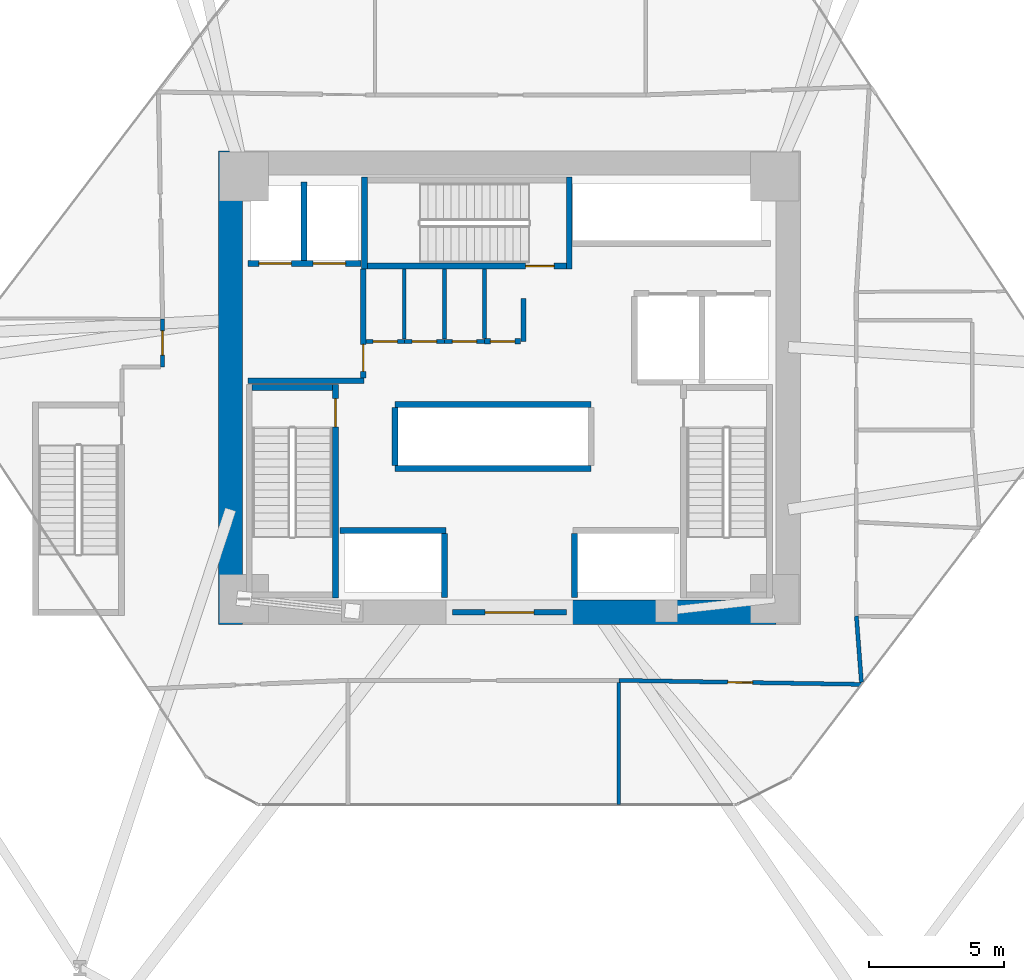
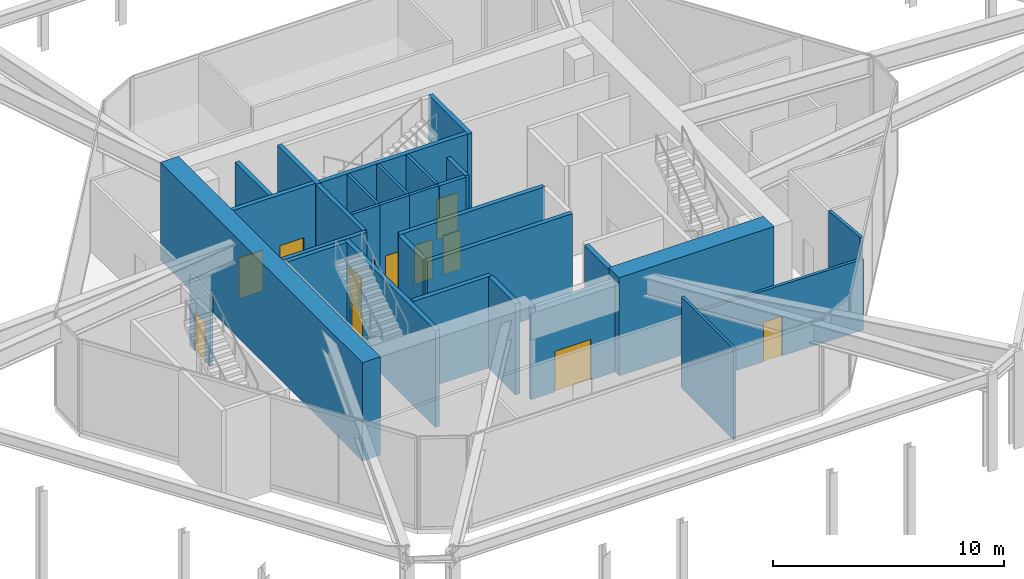
# One storey, part 13 of 16: 30 walls, 12 doors, 12 openings.
"""IFC4 building model written with IfcOpenShell, lengths in metres."""

from ifc_helpers import new_model, si_unit, direction, frame, frame_2d, origin, place, context, subcontext, project, spatial, rectangle, extrude, source, transform, mapped, material, layer, layer_set, type_object, type_shapes, element, fill, save


model = new_model("IFC4")

# Units and contexts
model_context = context("Model", 3, precision=1e-05, world=origin(), true_north=direction((0.0, 1.0)))
body_context = subcontext(model_context, "Body", "Model", "MODEL_VIEW")
ifc_project = project(units=[si_unit("LENGTHUNIT", "METRE"), si_unit("AREAUNIT", "SQUARE_METRE"), si_unit("VOLUMEUNIT", "CUBIC_METRE"), si_unit("PLANEANGLEUNIT", "RADIAN"), si_unit("MASSUNIT", "GRAM", prefix="KILO")], contexts=[model_context])

# Site, building, storey
site_placement = place(None, origin())
site = spatial("IfcSite", under=ifc_project, at=site_placement, CompositionType="ELEMENT")
building_placement = place(site_placement, origin())
building = spatial("IfcBuilding", under=site, at=building_placement, Name="Durnholm Broadcast Tower", CompositionType="ELEMENT")
storey_placement = place(building_placement, frame((0.0, 0.0, 5.199951171875)))
storey = spatial("IfcBuildingStorey", under=building, at=storey_placement, Name="L01", CompositionType="ELEMENT", Elevation=5.199951171875)

# Walls
ifc_material_1 = material(Name="Concrete C70/85", Category="concrete")
ifc_layer_1 = layer(ifc_material_1, 0.89990234375)
ifc_layer_set_1 = layer_set([ifc_layer_1], Name="Concrete C70/85")
wall_type_1 = type_object("IfcWallType", Name="WALL-CW-900", PredefinedType="SHEAR", material=ifc_layer_set_1)
wall_1_placement = place(storey_placement, frame((-10.300048828125, -8.75, 0.0), z_axis=(0.0, 0.0, 1.0), x_axis=(0.0, 1.0, 0.0)))
element("IfcWall", 1, at=wall_1_placement, inside=storey, type_object=wall_type_1, Name="L01 central core shear wall CW-WEST", PredefinedType="SHEAR", context=body_context, shape_type="SweptSolid", body=[
    extrude(rectangle(XDim=17.5, YDim=0.89990234375, at=frame_2d((8.75, 0.0))), origin(), (0.0, 0.0, 1.0), 5.199951171875),
])
wall_2_placement = place(storey_placement, frame((2.10009765625, -8.300048828125, 0.0), z_axis=(0.0, 0.0, 1.0), x_axis=(1.0, 0.0, 0.0)))
element("IfcWall", 2, at=wall_2_placement, inside=storey, type_object=wall_type_1, Name="L01 central core shear wall CW-S2", PredefinedType="SHEAR", context=body_context, shape_type="SweptSolid", body=[
    extrude(rectangle(XDim=7.75, YDim=0.89990234375, at=frame_2d((3.875, 0.0))), origin(), (0.0, 0.0, 1.0), 5.199951171875),
])

# Wall, opening, door
ifc_material_2 = material(Name="Fire-Rated Gypsum Shaftwall", Category="concrete")
ifc_layer_2 = layer(ifc_material_2, 0.199951171875)
ifc_layer_set_2 = layer_set([ifc_layer_2], Name="Fire-Rated Gypsum Shaftwall")
wall_type_2 = type_object("IfcWallType", Name="WALL-LOB-200", PredefinedType="SOLIDWALL", material=ifc_layer_set_2)
wall_3_placement = place(storey_placement, frame((-2.10009765625, -8.300048828125, 0.0), z_axis=(0.0, 0.0, 1.0), x_axis=(1.0, 0.0, 0.0)))
wall_3 = element("IfcWall", 3, at=wall_3_placement, inside=storey, type_object=wall_type_2, Name="L01 south core lobby fire screen", PredefinedType="SOLIDWALL", context=body_context, shape_type="SweptSolid", body=[
    extrude(rectangle(XDim=4.2001953125, YDim=0.199951171875, at=frame_2d((2.10009765625, 0.0))), origin(), (0.0, 0.0, 1.0), 4.8349609375),
])
opening_1_placement = place(wall_3_placement, frame((1.199951171875, 0.0, 0.0)))
opening_1 = element("IfcOpeningElement", 4, at=opening_1_placement, cuts=wall_3, Name="Opening DP-60", PredefinedType="OPENING", context=body_context, shape_type="SweptSolid", body=[
    extrude(rectangle(XDim=1.800048828125, YDim=2.14990234375, at=frame_2d((0.89990234375, 1.074951171875))), frame((0.0, 0.10986328125, 0.0), z_axis=(0.0, -1.0, 0.0), x_axis=(1.0, 0.0, 0.0)), (0.0, 0.0, 1.0), 0.219970703125),
])
ifc_material_3 = material(Name="Fire-Rated Double Corridor Door", Category="steel")
ifc_layer_3 = layer(ifc_material_3, 0.050048828125)
ifc_layer_set_3 = layer_set([ifc_layer_3], Name="Fire-Rated Double Corridor Door")
door_type_1 = type_object("IfcDoorType", Name="DOOR-PAIR-FD60", OperationType="DOUBLE_DOOR_SINGLE_SWING", PredefinedType="DOOR", material=ifc_layer_set_3)
shared_shape_1 = source(origin(), body_context, "Body", "SweptSolid", [
    extrude(rectangle(XDim=1.800048828125, YDim=2.14990234375, at=frame_2d((0.89990234375, 1.074951171875))), frame((0.0, 0.02490234375, 0.0), z_axis=(0.0, -1.0, 0.0), x_axis=(1.0, 0.0, 0.0)), (0.0, 0.0, 1.0), 0.050048828125),
])
type_shapes(door_type_1, [shared_shape_1])
door_1_placement = place(opening_1_placement, origin())
door_1 = element("IfcDoor", 5, at=door_1_placement, inside=storey, type_object=door_type_1, Name="L01 south core lobby double fire door", OperationType="DOUBLE_DOOR_SINGLE_SWING", OverallHeight=2.14990234375, OverallWidth=1.800048828125, PredefinedType="DOOR", context=body_context, shape_type="MappedRepresentation", body=[
    mapped(shared_shape_1, transform((0.0, 0.0, 0.0), x_axis=(1.0, 0.0, 0.0), y_axis=(0.0, 1.0, 0.0), z_axis=(0.0, 0.0, 1.0), scale=1.0)),
])
fill(opening_1, door_1)

# Wall
wall_4_placement = place(storey_placement, frame((-9.64990234375, 0.25, 0.0), z_axis=(0.0, 0.0, 1.0), x_axis=(1.0, 0.0, 0.0)))
element("IfcWall", 6, at=wall_4_placement, inside=storey, type_object=wall_type_2, Name="L01 Fire Service Access Elevator lobby south wall", PredefinedType="SOLIDWALL", context=body_context, shape_type="SweptSolid", body=[
    extrude(rectangle(XDim=4.27001953125, YDim=0.199951171875, at=frame_2d((2.135009765625, 0.0))), origin(), (0.0, 0.0, 1.0), 4.8349609375),
])

# Wall, opening, door
wall_5_placement = place(storey_placement, frame((-5.39990234375, 0.35400390625, 0.0), z_axis=(0.0, 0.0, 1.0), x_axis=(0.0, 1.0, 0.0)))
wall_5 = element("IfcWall", 7, at=wall_5_placement, inside=storey, type_object=wall_type_2, Name="L01 Fire Service Access Elevator lobby east fire wall", PredefinedType="SOLIDWALL", context=body_context, shape_type="SweptSolid", body=[
    extrude(rectangle(XDim=4.02587890625, YDim=0.199951171875, at=frame_2d((2.012939453125, 0.0))), origin(), (0.0, 0.0, 1.0), 4.8349609375),
])
opening_2_placement = place(wall_5_placement, frame((0.24609375, 0.0, 0.0)))
opening_2 = element("IfcOpeningElement", 8, at=opening_2_placement, cuts=wall_5, Name="Opening DL-60R", PredefinedType="OPENING", context=body_context, shape_type="SweptSolid", body=[
    extrude(rectangle(XDim=1.0, YDim=2.14990234375, at=frame_2d((0.5, 1.074951171875))), frame((0.0, 0.10986328125, 0.0), z_axis=(0.0, -1.0, 0.0), x_axis=(1.0, 0.0, 0.0)), (0.0, 0.0, 1.0), 0.219970703125),
])
ifc_material_4 = material(Name="Fire-Rated Timber/Steel Door", Category="steel")
ifc_layer_4 = layer(ifc_material_4, 0.050048828125)
ifc_layer_set_4 = layer_set([ifc_layer_4], Name="Fire-Rated Timber/Steel Door")
door_type_2 = type_object("IfcDoorType", Name="DOOR-LOB-FD60-R", OperationType="NOTDEFINED", PredefinedType="DOOR", material=ifc_layer_set_4)
shared_shape_2 = source(origin(), body_context, "Body", "SweptSolid", [
    extrude(rectangle(XDim=1.0, YDim=2.14990234375, at=frame_2d((0.5, 1.074951171875))), frame((0.0, 0.02490234375, 0.0), z_axis=(0.0, -1.0, 0.0), x_axis=(1.0, 0.0, 0.0)), (0.0, 0.0, 1.0), 0.050048828125),
])
type_shapes(door_type_2, [shared_shape_2])
door_2_placement = place(opening_2_placement, origin())
door_2 = element("IfcDoor", 9, at=door_2_placement, inside=storey, type_object=door_type_2, Name="L01 Fire Service Access Elevator lobby smoke door", OperationType="SINGLE_SWING_RIGHT", OverallHeight=2.14990234375, OverallWidth=1.0, PredefinedType="DOOR", context=body_context, shape_type="MappedRepresentation", body=[
    mapped(shared_shape_2, transform((0.0, 0.0, 0.0), x_axis=(1.0, 0.0, 0.0), y_axis=(0.0, 1.0, 0.0), z_axis=(0.0, 0.0, 1.0), scale=1.0)),
])
fill(opening_2, door_2)

# Wall
wall_6_placement = place(storey_placement, frame((0.52001953125, 3.300048828125, 0.0), z_axis=(0.0, 0.0, 1.0), x_axis=(0.0, -1.0, 0.0)))
element("IfcWall", 10, at=wall_6_placement, inside=storey, type_object=wall_type_2, Name="L01 Core Signal Sync Room corridor partition", PredefinedType="SOLIDWALL", context=body_context, shape_type="SweptSolid", body=[
    extrude(rectangle(XDim=1.590087890625, YDim=0.199951171875, at=frame_2d((0.794921875, 0.0))), origin(), (0.0, 0.0, 1.0), 4.8349609375),
])

# Wall, opening, door
wall_7_placement = place(storey_placement, frame((0.416015625, 1.7099609375, 0.0), z_axis=(0.0, 0.0, 1.0), x_axis=(-1.0, 0.0, 0.0)))
wall_7 = element("IfcWall", 11, at=wall_7_placement, inside=storey, type_object=wall_type_2, Name="L01 Core Signal Sync Room corridor partition", PredefinedType="SOLIDWALL", context=body_context, shape_type="SweptSolid", body=[
    extrude(rectangle(XDim=1.3359375, YDim=0.199951171875, at=frame_2d((0.66796875, 0.0))), origin(), (0.0, 0.0, 1.0), 4.8349609375),
])
opening_3_placement = place(wall_7_placement, frame((0.218017578125, 0.0, 0.0)))
opening_3 = element("IfcOpeningElement", 12, at=opening_3_placement, cuts=wall_7, Name="Opening DC-60L", PredefinedType="OPENING", context=body_context, shape_type="SweptSolid", body=[
    extrude(rectangle(XDim=0.89990234375, YDim=2.050048828125, at=frame_2d((0.449951171875, 1.02490234375))), frame((0.0, 0.10986328125, 0.0), z_axis=(0.0, -1.0, 0.0), x_axis=(1.0, 0.0, 0.0)), (0.0, 0.0, 1.0), 0.219970703125),
])
ifc_material_5 = material(Name="Fire-Rated Core Service Door", Category="steel")
ifc_layer_5 = layer(ifc_material_5, 0.050048828125)
ifc_layer_set_5 = layer_set([ifc_layer_5], Name="Fire-Rated Core Service Door")
door_type_3 = type_object("IfcDoorType", Name="DOOR-CORE-FD60-L", OperationType="NOTDEFINED", PredefinedType="DOOR", material=ifc_layer_set_5)
shared_shape_3 = source(origin(), body_context, "Body", "SweptSolid", [
    extrude(rectangle(XDim=0.89990234375, YDim=2.050048828125, at=frame_2d((0.449951171875, 1.02490234375))), frame((0.0, 0.02490234375, 0.0), z_axis=(0.0, -1.0, 0.0), x_axis=(1.0, 0.0, 0.0)), (0.0, 0.0, 1.0), 0.050048828125),
])
type_shapes(door_type_3, [shared_shape_3])
door_3_placement = place(opening_3_placement, origin())
door_3 = element("IfcDoor", 13, at=door_3_placement, inside=storey, type_object=door_type_3, Name="L01 Core Signal Sync Room entrance door", OperationType="SINGLE_SWING_LEFT", OverallHeight=2.050048828125, OverallWidth=0.89990234375, PredefinedType="DOOR", context=body_context, shape_type="MappedRepresentation", body=[
    mapped(shared_shape_3, transform((0.0, 0.0, 0.0), x_axis=(1.0, 0.0, 0.0), y_axis=(0.0, 1.0, 0.0), z_axis=(0.0, 0.0, 1.0), scale=1.0)),
])
fill(opening_3, door_3)

# Walls
ifc_material_6 = material(Name="Gypsum Metal Stud Partition", Category="concrete")
ifc_layer_6 = layer(ifc_material_6, 0.135009765625)
ifc_layer_set_6 = layer_set([ifc_layer_6], Name="Gypsum Metal Stud Partition")
wall_type_3 = type_object("IfcWallType", Name="WALL-PART-135", PredefinedType="PARTITIONING", material=ifc_layer_set_6)
for number, where, z_axis, x_axis, name in (
    (14, (-3.8798828125, 4.375, 0.0), (0.0, 0.0, 1.0), (0.0, -1.0, 0.0), "L01 room dividing partition 1.2"),
    (15, (-2.39990234375, 4.375, 0.0), (0.0, 0.0, 1.0), (0.0, -1.0, 0.0), "L01 room dividing partition 2.3"),
):
    element("IfcWall", number, at=place(storey_placement, frame(where, z_axis=z_axis, x_axis=x_axis)), inside=storey, type_object=wall_type_3, Name=name, PredefinedType="PARTITIONING", context=body_context, shape_type="SweptSolid", body=[
        extrude(rectangle(XDim=2.5859375, YDim=0.135009765625, at=frame_2d((1.29296875, 0.0))), origin(), (0.0, 0.0, 1.0), 4.8349609375),
    ])
wall_8_placement = place(storey_placement, frame((-0.919921875, 4.375, 0.0), z_axis=(0.0, 0.0, 1.0), x_axis=(0.0, -1.0, 0.0)))
element("IfcWall", 16, at=wall_8_placement, inside=storey, type_object=wall_type_3, Name="L01 room dividing partition 3.4", PredefinedType="PARTITIONING", context=body_context, shape_type="SweptSolid", body=[
    extrude(rectangle(XDim=2.56103515625, YDim=0.135009765625, at=frame_2d((1.280517578125, 0.0))), origin(), (0.0, 0.0, 1.0), 4.8349609375),
])
wall_9_placement = place(storey_placement, frame((4.0400390625, -10.890380859375, 0.0), z_axis=(0.0, 0.0, 1.0), x_axis=(0.0, -1.0, 0.0)))
element("IfcWall", 17, at=wall_9_placement, inside=storey, type_object=wall_type_3, Name="L01 room dividing partition 12.13", PredefinedType="PARTITIONING", context=body_context, shape_type="SweptSolid", body=[
    extrude(rectangle(XDim=4.509521484375, YDim=0.135009765625, at=frame_2d((2.2548828125, 0.0))), origin(), (0.0, 0.0, 1.0), 4.8349609375),
])

# Wall, opening, door
ifc_material_7 = material(Name="Acoustic Gypsum Stud Partition", Category="concrete")
ifc_layer_7 = layer(ifc_material_7, 0.14990234375)
ifc_layer_set_7 = layer_set([ifc_layer_7], Name="Acoustic Gypsum Stud Partition")
wall_type_4 = type_object("IfcWallType", Name="WALL-PART-150", PredefinedType="PARTITIONING", material=ifc_layer_set_7)
wall_10_placement = place(storey_placement, frame((-3.8798828125, 1.7099609375, 0.0), z_axis=(0.0, 0.0, 1.0), x_axis=(-1.0, 0.0, 0.0)))
wall_10 = element("IfcWall", 18, at=wall_10_placement, inside=storey, type_object=wall_type_4, Name="L01 Core First Aid Store corridor partition", PredefinedType="PARTITIONING", context=body_context, shape_type="SweptSolid", body=[
    extrude(rectangle(XDim=1.416015625, YDim=0.14990234375, at=frame_2d((0.7080078125, 0.0))), origin(), (0.0, 0.0, 1.0), 4.8349609375),
])
opening_4_placement = place(wall_10_placement, frame((0.258056640625, 0.0, 0.0)))
opening_4 = element("IfcOpeningElement", 19, at=opening_4_placement, cuts=wall_10, Name="Opening DC-60R", PredefinedType="OPENING", context=body_context, shape_type="SweptSolid", body=[
    extrude(rectangle(XDim=0.89990234375, YDim=2.050048828125, at=frame_2d((0.449951171875, 1.02490234375))), frame((0.0, 0.0849609375, 0.0), z_axis=(0.0, -1.0, 0.0), x_axis=(1.0, 0.0, 0.0)), (0.0, 0.0, 1.0), 0.169921875),
])
ifc_layer_8 = layer(ifc_material_5, 0.050048828125)
ifc_layer_set_8 = layer_set([ifc_layer_8], Name="Fire-Rated Core Service Door")
door_type_4 = type_object("IfcDoorType", Name="DOOR-CORE-FD60-R", OperationType="NOTDEFINED", PredefinedType="DOOR", material=ifc_layer_set_8)
shared_shape_4 = source(origin(), body_context, "Body", "SweptSolid", [
    extrude(rectangle(XDim=0.89990234375, YDim=2.050048828125, at=frame_2d((0.449951171875, 1.02490234375))), frame((0.0, 0.02490234375, 0.0), z_axis=(0.0, -1.0, 0.0), x_axis=(1.0, 0.0, 0.0)), (0.0, 0.0, 1.0), 0.050048828125),
])
type_shapes(door_type_4, [shared_shape_4])
door_4_placement = place(opening_4_placement, origin())
door_4 = element("IfcDoor", 20, at=door_4_placement, inside=storey, type_object=door_type_4, Name="L01 Core First Aid Store entrance door", OperationType="SINGLE_SWING_RIGHT", OverallHeight=2.050048828125, OverallWidth=0.89990234375, PredefinedType="DOOR", context=body_context, shape_type="MappedRepresentation", body=[
    mapped(shared_shape_4, transform((0.0, 0.0, 0.0), x_axis=(1.0, 0.0, 0.0), y_axis=(0.0, 1.0, 0.0), z_axis=(0.0, 0.0, 1.0), scale=1.0)),
])
fill(opening_4, door_4)

wall_11_placement = place(storey_placement, frame((-2.39990234375, 1.7099609375, 0.0), z_axis=(0.0, 0.0, 1.0), x_axis=(-1.0, 0.0, 0.0)))
wall_11 = element("IfcWall", 21, at=wall_11_placement, inside=storey, type_object=wall_type_4, Name="L01 Core Linen Supply Closet corridor partition", PredefinedType="PARTITIONING", context=body_context, shape_type="SweptSolid", body=[
    extrude(rectangle(XDim=1.47998046875, YDim=0.14990234375, at=frame_2d((0.739990234375, 0.0))), origin(), (0.0, 0.0, 1.0), 4.8349609375),
])
opening_5_placement = place(wall_11_placement, frame((0.2900390625, 0.0, 0.0)))
opening_5 = element("IfcOpeningElement", 22, at=opening_5_placement, cuts=wall_11, Name="Opening DC-60L", PredefinedType="OPENING", context=body_context, shape_type="SweptSolid", body=[
    extrude(rectangle(XDim=0.89990234375, YDim=2.050048828125, at=frame_2d((0.449951171875, 1.02490234375))), frame((0.0, 0.0849609375, 0.0), z_axis=(0.0, -1.0, 0.0), x_axis=(1.0, 0.0, 0.0)), (0.0, 0.0, 1.0), 0.169921875),
])
door_5_placement = place(opening_5_placement, origin())
door_5 = element("IfcDoor", 23, at=door_5_placement, inside=storey, type_object=door_type_3, Name="L01 Core Linen Supply Closet entrance door", OperationType="SINGLE_SWING_LEFT", OverallHeight=2.050048828125, OverallWidth=0.89990234375, PredefinedType="DOOR", context=body_context, shape_type="MappedRepresentation", body=[
    mapped(shared_shape_3, transform((0.0, 0.0, 0.0), x_axis=(1.0, 0.0, 0.0), y_axis=(0.0, 1.0, 0.0), z_axis=(0.0, 0.0, 1.0), scale=1.0)),
])
fill(opening_5, door_5)

wall_12_placement = place(storey_placement, frame((-0.919921875, 1.7099609375, 0.0), z_axis=(0.0, 0.0, 1.0), x_axis=(-1.0, 0.0, 0.0)))
wall_12 = element("IfcWall", 24, at=wall_12_placement, inside=storey, type_object=wall_type_4, Name="L01 Core Safety Gear Store corridor partition", PredefinedType="PARTITIONING", context=body_context, shape_type="SweptSolid", body=[
    extrude(rectangle(XDim=1.47998046875, YDim=0.14990234375, at=frame_2d((0.739990234375, 0.0))), origin(), (0.0, 0.0, 1.0), 4.8349609375),
])
opening_6_placement = place(wall_12_placement, frame((0.2900390625, 0.0, 0.0)))
opening_6 = element("IfcOpeningElement", 25, at=opening_6_placement, cuts=wall_12, Name="Opening DC-60R", PredefinedType="OPENING", context=body_context, shape_type="SweptSolid", body=[
    extrude(rectangle(XDim=0.89990234375, YDim=2.050048828125, at=frame_2d((0.449951171875, 1.02490234375))), frame((0.0, 0.0849609375, 0.0), z_axis=(0.0, -1.0, 0.0), x_axis=(1.0, 0.0, 0.0)), (0.0, 0.0, 1.0), 0.169921875),
])
door_6_placement = place(opening_6_placement, origin())
door_6 = element("IfcDoor", 26, at=door_6_placement, inside=storey, type_object=door_type_4, Name="L01 Core Safety Gear Store entrance door", OperationType="SINGLE_SWING_RIGHT", OverallHeight=2.050048828125, OverallWidth=0.89990234375, PredefinedType="DOOR", context=body_context, shape_type="MappedRepresentation", body=[
    mapped(shared_shape_4, transform((0.0, 0.0, 0.0), x_axis=(1.0, 0.0, 0.0), y_axis=(0.0, 1.0, 0.0), z_axis=(0.0, 0.0, 1.0), scale=1.0)),
])
fill(opening_6, door_6)

wall_13_placement = place(storey_placement, frame((4.0400390625, -10.811279296875, 0.0), z_axis=(0.0, 0.0, 1.0), x_axis=(0.999863885947, -0.016498775082, 0.0)))
wall_13 = element("IfcWall", 27, at=wall_13_placement, inside=storey, type_object=wall_type_4, Name="L01 Hospitality Kitchen corridor partition", PredefinedType="PARTITIONING", context=body_context, shape_type="SweptSolid", body=[
    extrude(rectangle(XDim=8.96728515625, YDim=0.14990234375, at=frame_2d((4.483642578125, 0.0))), origin(), (0.0, 0.0, 1.0), 3.757080078125),
])
opening_7_placement = place(wall_13_placement, frame((4.023681640625, 0.0, 0.0)))
opening_7 = element("IfcOpeningElement", 28, at=opening_7_placement, cuts=wall_13, Name="Opening DR-92R", PredefinedType="OPENING", context=body_context, shape_type="SweptSolid", body=[
    extrude(rectangle(XDim=0.919921875, YDim=2.10009765625, at=frame_2d((0.4599609375, 1.050048828125))), frame((0.0, 0.0849609375, 0.0), z_axis=(0.0, -1.0, 0.0), x_axis=(1.0, 0.0, 0.0)), (0.0, 0.0, 1.0), 0.169921875),
])
ifc_material_8 = material(Name="Oak Veneer Office Door", Category="wood")
ifc_layer_9 = layer(ifc_material_8, 0.050048828125)
ifc_layer_set_9 = layer_set([ifc_layer_9], Name="Oak Veneer Office Door")
door_type_5 = type_object("IfcDoorType", Name="DOOR-RM-920R", OperationType="NOTDEFINED", PredefinedType="DOOR", material=ifc_layer_set_9)
shared_shape_5 = source(origin(), body_context, "Body", "SweptSolid", [
    extrude(rectangle(XDim=0.919921875, YDim=2.10009765625, at=frame_2d((0.4599609375, 1.050048828125))), frame((0.0, 0.02490234375, 0.0), z_axis=(0.0, -1.0, 0.0), x_axis=(1.0, 0.0, 0.0)), (0.0, 0.0, 1.0), 0.050048828125),
])
type_shapes(door_type_5, [shared_shape_5])
door_7_placement = place(opening_7_placement, origin())
door_7 = element("IfcDoor", 29, at=door_7_placement, inside=storey, type_object=door_type_5, Name="L01 Hospitality Kitchen entrance door", OperationType="SINGLE_SWING_RIGHT", OverallHeight=2.10009765625, OverallWidth=0.919921875, PredefinedType="DOOR", context=body_context, shape_type="MappedRepresentation", body=[
    mapped(shared_shape_5, transform((0.0, 0.0, 0.0), x_axis=(1.0, 0.0, 0.0), y_axis=(0.0, 1.0, 0.0), z_axis=(0.0, 0.0, 1.0), scale=1.0)),
])
fill(opening_7, door_7)

# Wall
wall_14_placement = place(storey_placement, frame((13.0, -10.880126953125, 0.0), z_axis=(0.0, 0.0, 1.0), x_axis=(-0.075223978352, 0.99716666264, 0.0)))
element("IfcWall", 30, at=wall_14_placement, inside=storey, type_object=wall_type_4, Name="L01 Hospitality Kitchen corridor partition", PredefinedType="PARTITIONING", context=body_context, shape_type="SweptSolid", body=[
    extrude(rectangle(XDim=2.447021484375, YDim=0.14990234375, at=frame_2d((1.2236328125, 0.0))), origin(), (0.0, 0.0, 1.0), 4.8349609375),
])

# Wall, opening, door
wall_15_placement = place(storey_placement, frame((-12.81005859375, 2.5400390625, 0.0), z_axis=(0.0, 0.0, 1.0), x_axis=(0.0, -1.0, 0.0)))
wall_15 = element("IfcWall", 31, at=wall_15_placement, inside=storey, type_object=wall_type_4, Name="L01 Mezzanine Broadcast Hall corridor partition", PredefinedType="PARTITIONING", context=body_context, shape_type="SweptSolid", body=[
    extrude(rectangle(XDim=1.780029296875, YDim=0.14990234375, at=frame_2d((0.89013671875, 0.0))), origin(), (0.0, 0.0, 1.0), 3.757080078125),
])
opening_8_placement = place(wall_15_placement, frame((0.43994140625, 0.0, 0.0)))
opening_8 = element("IfcOpeningElement", 32, at=opening_8_placement, cuts=wall_15, Name="Opening DW-90L", PredefinedType="OPENING", context=body_context, shape_type="SweptSolid", body=[
    extrude(rectangle(XDim=0.89990234375, YDim=2.050048828125, at=frame_2d((0.449951171875, 1.02490234375))), frame((0.0, 0.0849609375, 0.0), z_axis=(0.0, -1.0, 0.0), x_axis=(1.0, 0.0, 0.0)), (0.0, 0.0, 1.0), 0.169921875),
])
ifc_material_9 = material(Name="Laminate Restroom Door", Category="steel")
ifc_layer_10 = layer(ifc_material_9, 0.050048828125)
ifc_layer_set_10 = layer_set([ifc_layer_10], Name="Laminate Restroom Door")
door_type_6 = type_object("IfcDoorType", Name="DOOR-WC-900L", OperationType="NOTDEFINED", PredefinedType="DOOR", material=ifc_layer_set_10)
shared_shape_6 = source(origin(), body_context, "Body", "SweptSolid", [
    extrude(rectangle(XDim=0.89990234375, YDim=2.050048828125, at=frame_2d((0.449951171875, 1.02490234375))), frame((0.0, 0.02490234375, 0.0), z_axis=(0.0, -1.0, 0.0), x_axis=(1.0, 0.0, 0.0)), (0.0, 0.0, 1.0), 0.050048828125),
])
type_shapes(door_type_6, [shared_shape_6])
door_8_placement = place(opening_8_placement, origin())
door_8 = element("IfcDoor", 33, at=door_8_placement, inside=storey, type_object=door_type_6, Name="L01 Mezzanine Broadcast Hall entrance door", OperationType="SINGLE_SWING_LEFT", OverallHeight=2.050048828125, OverallWidth=0.89990234375, PredefinedType="DOOR", context=body_context, shape_type="MappedRepresentation", body=[
    mapped(shared_shape_6, transform((0.0, 0.0, 0.0), x_axis=(1.0, 0.0, 0.0), y_axis=(0.0, 1.0, 0.0), z_axis=(0.0, 0.0, 1.0), scale=1.0)),
])
fill(opening_8, door_8)

# Wall, openings, doors
ifc_material_10 = material(Name="Concrete Blockwork C30/37", Category="masonry")
ifc_layer_11 = layer(ifc_material_10, 0.219970703125)
ifc_layer_set_11 = layer_set([ifc_layer_11], Name="Concrete Blockwork C30/37")
wall_type_5 = type_object("IfcWallType", Name="WALL-SHAFT-220", PredefinedType="SOLIDWALL", material=ifc_layer_set_11)
wall_16_placement = place(storey_placement, frame((-9.64990234375, 4.580078125, 0.0), z_axis=(0.0, 0.0, 1.0), x_axis=(1.0, 0.0, 0.0)))
wall_16 = element("IfcWall", 34, at=wall_16_placement, inside=storey, type_object=wall_type_5, Name="L01 FSAE hoistway front fire wall", PredefinedType="SOLIDWALL", context=body_context, shape_type="SweptSolid", body=[
    extrude(rectangle(XDim=4.1748046875, YDim=0.219970703125, at=frame_2d((2.08740234375, 0.0))), origin(), (0.0, 0.0, 1.0), 4.8349609375),
])
opening_9_placement = place(wall_16_placement, frame((0.39990234375, 0.0, 0.0)))
opening_9 = element("IfcOpeningElement", 35, at=opening_9_placement, cuts=wall_16, Name="Opening LD-FSAE-2", PredefinedType="OPENING", context=body_context, shape_type="SweptSolid", body=[
    extrude(rectangle(XDim=1.199951171875, YDim=2.14990234375, at=frame_2d((0.60009765625, 1.074951171875))), frame((0.0, 0.1201171875, 0.0), z_axis=(0.0, -1.0, 0.0), x_axis=(1.0, 0.0, 0.0)), (0.0, 0.0, 1.0), 0.239990234375),
])
opening_10_placement = place(wall_16_placement, frame((2.39990234375, 0.0, 0.0)))
opening_10 = element("IfcOpeningElement", 36, at=opening_10_placement, cuts=wall_16, Name="Opening LD-FSAE-1", PredefinedType="OPENING", context=body_context, shape_type="SweptSolid", body=[
    extrude(rectangle(XDim=1.199951171875, YDim=2.14990234375, at=frame_2d((0.60009765625, 1.074951171875))), frame((0.0, 0.1201171875, 0.0), z_axis=(0.0, -1.0, 0.0), x_axis=(1.0, 0.0, 0.0)), (0.0, 0.0, 1.0), 0.239990234375),
])
ifc_material_11 = material(Name="Fire Service Access Sliding Landing Door", Category="steel")
ifc_layer_12 = layer(ifc_material_11, 0.050048828125)
ifc_layer_set_12 = layer_set([ifc_layer_12], Name="Fire Service Access Sliding Landing Door")
door_type_7 = type_object("IfcDoorType", Name="DOOR-LIFT-FSAE", OperationType="DOUBLE_DOOR_SLIDING", PredefinedType="DOOR", material=ifc_layer_set_12)
shared_shape_7 = source(origin(), body_context, "Body", "SweptSolid", [
    extrude(rectangle(XDim=1.199951171875, YDim=2.14990234375, at=frame_2d((0.60009765625, 1.074951171875))), frame((0.0, 0.02490234375, 0.0), z_axis=(0.0, -1.0, 0.0), x_axis=(1.0, 0.0, 0.0)), (0.0, 0.0, 1.0), 0.050048828125),
])
type_shapes(door_type_7, [shared_shape_7])
door_9_placement = place(opening_9_placement, origin())
door_9 = element("IfcDoor", 37, at=door_9_placement, inside=storey, type_object=door_type_7, Name="L01 Fire Service Access Elevator FSAE-2 sliding landing door", OperationType="DOUBLE_DOOR_SLIDING", OverallHeight=2.14990234375, OverallWidth=1.199951171875, PredefinedType="DOOR", context=body_context, shape_type="MappedRepresentation", body=[
    mapped(shared_shape_7, transform((0.0, 0.0, 0.0), x_axis=(1.0, 0.0, 0.0), y_axis=(0.0, 1.0, 0.0), z_axis=(0.0, 0.0, 1.0), scale=1.0)),
])
fill(opening_9, door_9)
door_10_placement = place(opening_10_placement, origin())
door_10 = element("IfcDoor", 38, at=door_10_placement, inside=storey, type_object=door_type_7, Name="L01 Fire Service Access Elevator FSAE-1 sliding landing door", OperationType="DOUBLE_DOOR_SLIDING", OverallHeight=2.14990234375, OverallWidth=1.199951171875, PredefinedType="DOOR", context=body_context, shape_type="MappedRepresentation", body=[
    mapped(shared_shape_7, transform((0.0, 0.0, 0.0), x_axis=(1.0, 0.0, 0.0), y_axis=(0.0, 1.0, 0.0), z_axis=(0.0, 0.0, 1.0), scale=1.0)),
])
fill(opening_10, door_10)

# Walls
wall_17_placement = place(storey_placement, frame((-7.580078125, 4.694091796875, 0.0), z_axis=(0.0, 0.0, 1.0), x_axis=(0.0, 1.0, 0.0)))
element("IfcWall", 39, at=wall_17_placement, inside=storey, type_object=wall_type_5, Name="L01 FSAE shaft divider wall", PredefinedType="SOLIDWALL", context=body_context, shape_type="SweptSolid", body=[
    extrude(rectangle(XDim=2.906005859375, YDim=0.219970703125, at=frame_2d((1.453125, 0.0))), origin(), (0.0, 0.0, 1.0), 4.8349609375),
])
wall_18_placement = place(storey_placement, frame((-6.25, -5.280029296875, 0.0), z_axis=(0.0, 0.0, 1.0), x_axis=(1.0, 0.0, 0.0)))
element("IfcWall", 40, at=wall_18_placement, inside=storey, type_object=wall_type_5, Name="L01 low-rise bank P1 west front wall", PredefinedType="SOLIDWALL", context=body_context, shape_type="SweptSolid", body=[
    extrude(rectangle(XDim=3.89990234375, YDim=0.219970703125, at=frame_2d((1.949951171875, 0.0))), origin(), (0.0, 0.0, 1.0), 4.8349609375),
])
for number, where, z_axis, x_axis, name in (
    (41, (-2.39990234375, -7.75, 0.0), (0.0, 0.0, 1.0), (0.0, 1.0, 0.0), "L01 low-rise bank P1 west mouth wall"),
    (42, (2.39990234375, -7.75, 0.0), (0.0, 0.0, 1.0), (0.0, 1.0, 0.0), "L01 low-rise bank P1 east mouth wall"),
):
    element("IfcWall", number, at=place(storey_placement, frame(where, z_axis=z_axis, x_axis=x_axis)), inside=storey, type_object=wall_type_5, Name=name, PredefinedType="SOLIDWALL", context=body_context, shape_type="SweptSolid", body=[
        extrude(rectangle(XDim=2.35595703125, YDim=0.219970703125, at=frame_2d((1.177978515625, 0.0))), origin(), (0.0, 0.0, 1.0), 4.8349609375),
    ])
for number, where, z_axis, x_axis, name in (
    (43, (-4.219970703125, -2.97998046875, 0.0), (0.0, 0.0, 1.0), (1.0, 0.0, 0.0), "L01 mid-rise bank P2 south front wall"),
    (44, (-4.219970703125, -0.6201171875, 0.0), (0.0, 0.0, 1.0), (1.0, 0.0, 0.0), "L01 mid-rise bank P2 north shaft wall"),
):
    element("IfcWall", number, at=place(storey_placement, frame(where, z_axis=z_axis, x_axis=x_axis)), inside=storey, type_object=wall_type_5, Name=name, PredefinedType="SOLIDWALL", context=body_context, shape_type="SweptSolid", body=[
        extrude(rectangle(XDim=7.239990234375, YDim=0.219970703125, at=frame_2d((3.6201171875, 0.0))), origin(), (0.0, 0.0, 1.0), 4.8349609375),
    ])
wall_19_placement = place(storey_placement, frame((-4.219970703125, -2.865966796875, 0.0), z_axis=(0.0, 0.0, 1.0), x_axis=(0.0, 1.0, 0.0)))
element("IfcWall", 45, at=wall_19_placement, inside=storey, type_object=wall_type_5, Name="L01 mid-rise bank P2 west shaft wall", PredefinedType="SOLIDWALL", context=body_context, shape_type="SweptSolid", body=[
    extrude(rectangle(XDim=2.132080078125, YDim=0.219970703125, at=frame_2d((1.06591796875, 0.0))), origin(), (0.0, 0.0, 1.0), 4.8349609375),
])

# Wall, opening, door
ifc_material_12 = material(Name="Concrete C50/60", Category="concrete")
ifc_layer_13 = layer(ifc_material_12, 0.219970703125)
ifc_layer_set_13 = layer_set([ifc_layer_13], Name="Concrete C50/60")
wall_type_6 = type_object("IfcWallType", Name="WALL-SW-220", PredefinedType="SHEAR", material=ifc_layer_set_13)
wall_20_placement = place(storey_placement, frame((-6.429931640625, -7.77001953125, -0.300048828125), z_axis=(0.0, 0.0, 1.0), x_axis=(0.0, 1.0, 0.0)))
wall_20 = element("IfcWall", 46, at=wall_20_placement, inside=storey, type_object=wall_type_6, Name="L01 stair ST-1 structural shaft wall E", PredefinedType="SHEAR", context=body_context, shape_type="SweptSolid", body=[
    extrude(rectangle(XDim=7.89013671875, YDim=0.219970703125, at=frame_2d((3.945068359375, 0.0))), origin(), (0.0, 0.0, 1.0), 5.150146484375),
])
opening_11_placement = place(wall_20_placement, frame((6.320068359375, 0.0, 0.0)))
opening_11 = element("IfcOpeningElement", 47, at=opening_11_placement, cuts=wall_20, Name="Opening DS-90L", PredefinedType="OPENING", context=body_context, shape_type="SweptSolid", body=[
    extrude(rectangle(XDim=1.050048828125, YDim=2.14990234375, at=frame_2d((0.52490234375, 1.074951171875))), frame((0.0, 0.1201171875, 0.0), z_axis=(0.0, -1.0, 0.0), x_axis=(1.0, 0.0, 0.0)), (0.0, 0.0, 1.0), 0.239990234375),
])
ifc_material_13 = material(Name="Fire-Rated Steel Door", Category="steel")
ifc_layer_14 = layer(ifc_material_13, 0.050048828125)
ifc_layer_set_14 = layer_set([ifc_layer_14], Name="Fire-Rated Steel Door")
door_type_8 = type_object("IfcDoorType", Name="DOOR-ST-FD90-L", OperationType="NOTDEFINED", PredefinedType="DOOR", material=ifc_layer_set_14)
shared_shape_8 = source(origin(), body_context, "Body", "SweptSolid", [
    extrude(rectangle(XDim=1.050048828125, YDim=2.14990234375, at=frame_2d((0.52490234375, 1.074951171875))), frame((0.0, 0.02490234375, 0.0), z_axis=(0.0, -1.0, 0.0), x_axis=(1.0, 0.0, 0.0)), (0.0, 0.0, 1.0), 0.050048828125),
])
type_shapes(door_type_8, [shared_shape_8])
door_11_placement = place(opening_11_placement, origin())
door_11 = element("IfcDoor", 48, at=door_11_placement, inside=storey, type_object=door_type_8, Name="L01 exit stair ST-1 fire door", OperationType="SINGLE_SWING_LEFT", OverallHeight=2.14990234375, OverallWidth=1.050048828125, PredefinedType="DOOR", context=body_context, shape_type="MappedRepresentation", body=[
    mapped(shared_shape_8, transform((0.0, 0.0, 0.0), x_axis=(1.0, 0.0, 0.0), y_axis=(0.0, 1.0, 0.0), z_axis=(0.0, 0.0, 1.0), scale=1.0)),
])
fill(opening_11, door_11)

# Walls
wall_21_placement = place(storey_placement, frame((-6.5400390625, 0.010009765625, -0.300048828125), z_axis=(0.0, 0.0, 1.0), x_axis=(-1.0, 0.0, 0.0)))
element("IfcWall", 49, at=wall_21_placement, inside=storey, type_object=wall_type_6, Name="L01 stair ST-1 structural shaft wall N", PredefinedType="SHEAR", context=body_context, shape_type="SweptSolid", body=[
    extrude(rectangle(XDim=2.9599609375, YDim=0.219970703125, at=frame_2d((1.47998046875, 0.0))), origin(), (0.0, 0.0, 1.0), 5.150146484375),
])
for number, where, z_axis, x_axis, name in (
    (50, (2.2099609375, 4.3798828125, -0.300048828125), (0.0, 0.0, 1.0), (0.0, 1.0, 0.0), "L01 stair ST-3 structural shaft wall E"),
    (51, (-5.360107421875, 7.780029296875, -0.300048828125), (0.0, 0.0, 1.0), (0.0, -1.0, 0.0), "L01 stair ST-3 structural shaft wall W"),
):
    element("IfcWall", number, at=place(storey_placement, frame(where, z_axis=z_axis, x_axis=x_axis)), inside=storey, type_object=wall_type_6, Name=name, PredefinedType="SHEAR", context=body_context, shape_type="SweptSolid", body=[
        extrude(rectangle(XDim=3.400146484375, YDim=0.219970703125, at=frame_2d((1.7001953125, 0.0))), origin(), (0.0, 0.0, 1.0), 5.150146484375),
    ])

# Wall, opening, door
wall_22_placement = place(storey_placement, frame((-5.25, 4.489990234375, -0.300048828125), z_axis=(0.0, 0.0, 1.0), x_axis=(1.0, 0.0, 0.0)))
wall_22 = element("IfcWall", 52, at=wall_22_placement, inside=storey, type_object=wall_type_6, Name="L01 stair ST-3 structural shaft wall S", PredefinedType="SHEAR", context=body_context, shape_type="SweptSolid", body=[
    extrude(rectangle(XDim=7.35009765625, YDim=0.219970703125, at=frame_2d((3.675048828125, 0.0))), origin(), (0.0, 0.0, 1.0), 5.150146484375),
])
opening_12_placement = place(wall_22_placement, frame((5.85009765625, 0.0, 0.0)))
opening_12 = element("IfcOpeningElement", 53, at=opening_12_placement, cuts=wall_22, Name="Opening DS-90L", PredefinedType="OPENING", context=body_context, shape_type="SweptSolid", body=[
    extrude(rectangle(XDim=1.050048828125, YDim=2.14990234375, at=frame_2d((0.52490234375, 1.074951171875))), frame((0.0, 0.1201171875, 0.0), z_axis=(0.0, -1.0, 0.0), x_axis=(1.0, 0.0, 0.0)), (0.0, 0.0, 1.0), 0.239990234375),
])
door_12_placement = place(opening_12_placement, origin())
door_12 = element("IfcDoor", 54, at=door_12_placement, inside=storey, type_object=door_type_8, Name="L01 exit stair ST-3 fire door", OperationType="SINGLE_SWING_LEFT", OverallHeight=2.14990234375, OverallWidth=1.050048828125, PredefinedType="DOOR", context=body_context, shape_type="MappedRepresentation", body=[
    mapped(shared_shape_8, transform((0.0, 0.0, 0.0), x_axis=(1.0, 0.0, 0.0), y_axis=(0.0, 1.0, 0.0), z_axis=(0.0, 0.0, 1.0), scale=1.0)),
])
fill(opening_12, door_12)

save(model, "model.ifc")
